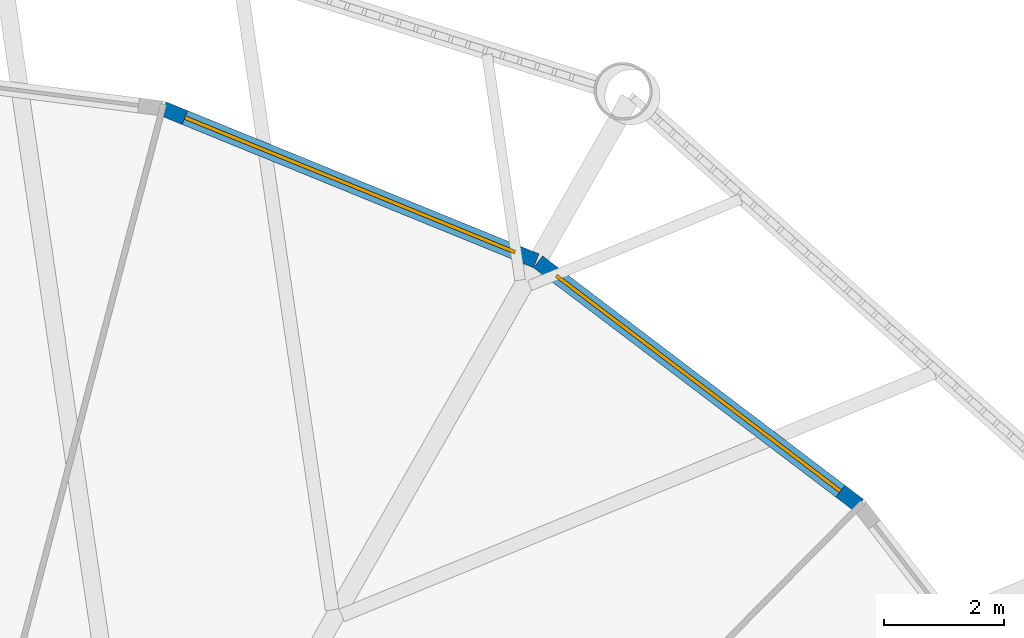
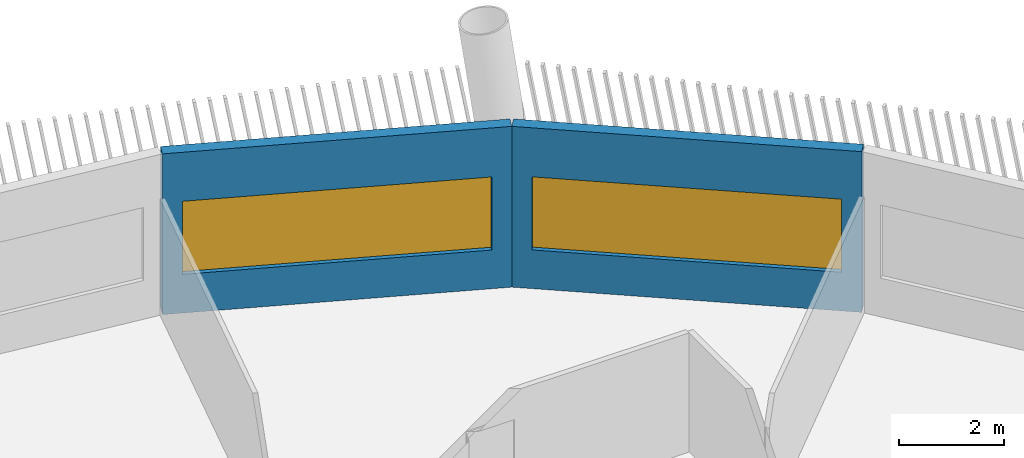
# One storey, part 7 of 15: 2 walls, 2 windows, 2 openings.
"""IFC4 building model written with IfcOpenShell, lengths in metres."""

from ifc_helpers import new_model, si_unit, direction, frame, frame_2d, origin, place, context, subcontext, project, spatial, rectangle, extrude, material, layer, layer_set, type_object, element, fill, save


model = new_model("IFC4")

# Units and contexts
model_context = context("Model", 3, precision=1e-05, world=origin(), true_north=direction((0.0, 1.0)))
body_context = subcontext(model_context, "Body", "Model", "MODEL_VIEW")
ifc_project = project(units=[si_unit("LENGTHUNIT", "METRE"), si_unit("AREAUNIT", "SQUARE_METRE"), si_unit("VOLUMEUNIT", "CUBIC_METRE"), si_unit("PLANEANGLEUNIT", "RADIAN"), si_unit("MASSUNIT", "GRAM", prefix="KILO")], contexts=[model_context])

# Site, building, storey
site_placement = place(None, origin())
site = spatial("IfcSite", under=ifc_project, at=site_placement, CompositionType="ELEMENT")
building_placement = place(site_placement, origin())
building = spatial("IfcBuilding", under=site, at=building_placement, Name="Tarsis Ring Headquarters", CompositionType="ELEMENT")
storey_placement = place(building_placement, frame((0.0, 0.0, 319.699951171875)))
storey = spatial("IfcBuildingStorey", under=building, at=storey_placement, Name="L75", CompositionType="ELEMENT", Elevation=319.699951171875)

# Wall, opening, window
ifc_material_1 = material(Name="Terracotta clad insulated panel wall", Category="masonry")
ifc_layer = layer(ifc_material_1, 0.25)
ifc_layer_set = layer_set([ifc_layer], Name="Facade wall terracotta panel 250")
wall_type = type_object("IfcWallType", Name="Facade wall terracotta panel 250", PredefinedType="STANDARD", material=ifc_layer_set)
wall_1_placement = place(storey_placement, frame((18.179931640625, 18.407470703125, 0.0), z_axis=(0.0, 0.0, 1.0), x_axis=(-0.796732279136, 0.604332421257, 0.0)))
wall_1 = element("IfcWall", 1, at=wall_1_placement, inside=storey, type_object=wall_type, Name="External wall L75-23", PredefinedType="STANDARD", context=body_context, shape_type="SweptSolid", body=[
    extrude(rectangle(XDim=6.721435546875, YDim=0.25, at=frame_2d((3.36083984375, 0.0))), origin(), (0.0, 0.0, 1.0), 3.739990234375),
])
opening_1_placement = place(wall_1_placement, frame((0.3857421875, 0.0, 0.89990234375)))
opening_1 = element("IfcOpeningElement", 2, at=opening_1_placement, cuts=wall_1, Name="Opening WN07", PredefinedType="OPENING", context=body_context, shape_type="SweptSolid", body=[
    extrude(rectangle(XDim=5.949951171875, YDim=1.699951171875, at=frame_2d((2.97509765625, 0.85009765625))), frame((0.0, 0.135009765625, 0.0), z_axis=(0.0, -1.0, 0.0), x_axis=(1.0, 0.0, 0.0)), (0.0, 0.0, 1.0), 0.27001953125),
])
ifc_material_2 = material(Name="Aluminium framed double glazing", Category="aluminium")
window_type = type_object("IfcWindowType", Name="Facade window 5950 x 1700", PartitioningType="SINGLE_PANEL", PredefinedType="WINDOW", material=ifc_material_2)
window_1_placement = place(opening_1_placement, origin())
window_1 = element("IfcWindow", 3, at=window_1_placement, inside=storey, type_object=window_type, Name="Window L75-23.1", OverallHeight=1.699951171875, OverallWidth=5.949951171875, PartitioningType="SINGLE_PANEL", PredefinedType="WINDOW", context=body_context, shape_type="SweptSolid", body=[
    extrude(rectangle(XDim=5.949951171875, YDim=1.699951171875, at=frame_2d((2.97509765625, 0.85009765625))), frame((0.0, 0.030029296875, 0.0), z_axis=(0.0, -1.0, 0.0), x_axis=(1.0, 0.0, 0.0)), (0.0, 0.0, 1.0), 0.06005859375),
])
fill(opening_1, window_1)

wall_2_placement = place(storey_placement, frame((12.79638671875, 22.485595703125, 0.0), z_axis=(0.0, 0.0, 1.0), x_axis=(-0.925996439431, 0.377532242545, 0.0)))
wall_2 = element("IfcWall", 4, at=wall_2_placement, inside=storey, type_object=wall_type, Name="External wall L75-24", PredefinedType="STANDARD", context=body_context, shape_type="SweptSolid", body=[
    extrude(rectangle(XDim=6.721435546875, YDim=0.25, at=frame_2d((3.36083984375, 0.0))), origin(), (0.0, 0.0, 1.0), 3.739990234375),
])
opening_2_placement = place(wall_2_placement, frame((0.3857421875, 0.0, 0.89990234375)))
opening_2 = element("IfcOpeningElement", 5, at=opening_2_placement, cuts=wall_2, Name="Opening WN07", PredefinedType="OPENING", context=body_context, shape_type="SweptSolid", body=[
    extrude(rectangle(XDim=5.949951171875, YDim=1.699951171875, at=frame_2d((2.97509765625, 0.85009765625))), frame((0.0, 0.135009765625, 0.0), z_axis=(0.0, -1.0, 0.0), x_axis=(1.0, 0.0, 0.0)), (0.0, 0.0, 1.0), 0.27001953125),
])
window_2_placement = place(opening_2_placement, origin())
window_2 = element("IfcWindow", 6, at=window_2_placement, inside=storey, type_object=window_type, Name="Window L75-24.1", OverallHeight=1.699951171875, OverallWidth=5.949951171875, PartitioningType="SINGLE_PANEL", PredefinedType="WINDOW", context=body_context, shape_type="SweptSolid", body=[
    extrude(rectangle(XDim=5.949951171875, YDim=1.699951171875, at=frame_2d((2.97509765625, 0.85009765625))), frame((0.0, 0.030029296875, 0.0), z_axis=(0.0, -1.0, 0.0), x_axis=(1.0, 0.0, 0.0)), (0.0, 0.0, 1.0), 0.06005859375),
])
fill(opening_2, window_2)

save(model, "model.ifc")
